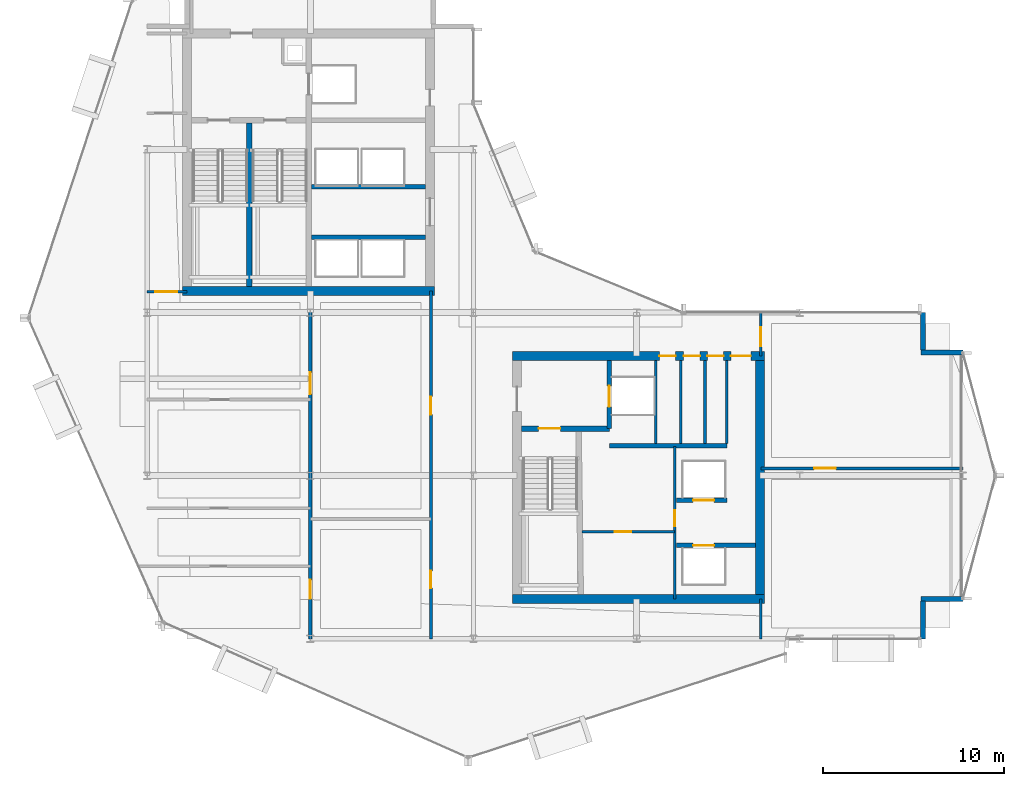
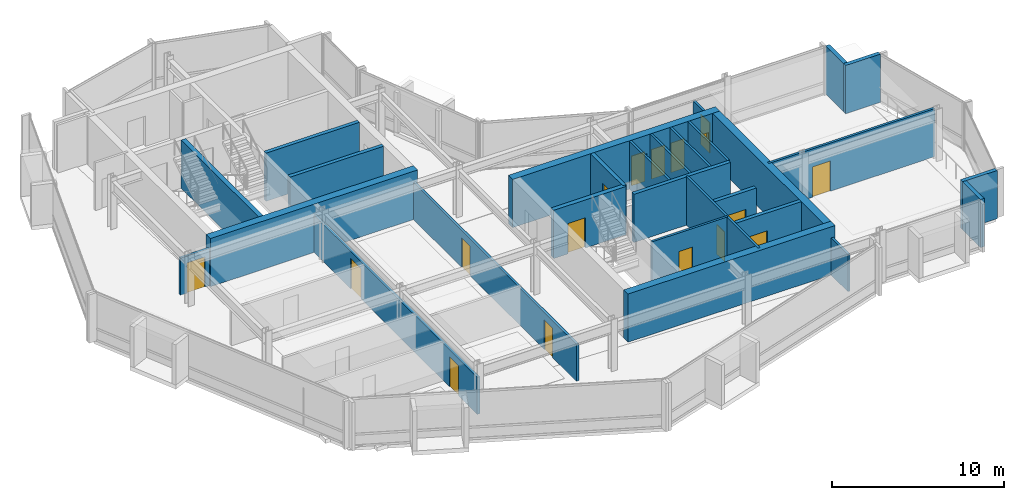
# One storey, part 20 of 27: 28 walls, 17 doors, 17 openings.
"""IFC4 building model written with IfcOpenShell, lengths in metres."""

from ifc_helpers import new_model, si_unit, direction, frame, frame_2d, origin, place, context, subcontext, project, spatial, rectangle, extrude, material, layer, layer_set, type_object, element, fill, save


model = new_model("IFC4")

# Units and contexts
model_context = context("Model", 3, precision=1e-05, world=origin(), true_north=direction((0.0, 1.0)))
body_context = subcontext(model_context, "Body", "Model", "MODEL_VIEW")
ifc_project = project(units=[si_unit("LENGTHUNIT", "METRE"), si_unit("AREAUNIT", "SQUARE_METRE"), si_unit("VOLUMEUNIT", "CUBIC_METRE"), si_unit("PLANEANGLEUNIT", "RADIAN"), si_unit("MASSUNIT", "GRAM", prefix="KILO")], contexts=[model_context])

# Site, building, storey
site_placement = place(None, origin())
site = spatial("IfcSite", under=ifc_project, at=site_placement, CompositionType="ELEMENT")
building_placement = place(site_placement, origin())
building = spatial("IfcBuilding", under=site, at=building_placement, Name="Solvaryn Broadcast Tower", CompositionType="ELEMENT")
storey_placement = place(building_placement, frame((0.0, 0.0, 177.89990234375)))
storey = spatial("IfcBuildingStorey", under=building, at=storey_placement, Name="L44", CompositionType="ELEMENT", Elevation=177.89990234375)

# Walls
ifc_material_1 = material(Name="Concrete f'c 70 MPa", Category="concrete")
ifc_layer_1 = layer(ifc_material_1, 0.5)
ifc_layer_set_1 = layer_set([ifc_layer_1], Name="CW-SHEAR-500")
wall_type_1 = type_object("IfcWallType", Name="CW-SHEAR-500", PredefinedType="SHEAR", material=ifc_layer_set_1)
for number, where, z_axis, x_axis, name in (
    (1, (10.949951171875, 28.199951171875, 0.0), (0.0, 0.0, 1.0), (1.0, 0.0, 0.0), "L44 West Core South Shear Wall"),
    (2, (29.14990234375, 11.199951171875, 0.0), (0.0, 0.0, 1.0), (1.0, 0.0, 0.0), "L44 East Core South Shear Wall"),
):
    element("IfcWall", number, at=place(storey_placement, frame(where, z_axis=z_axis, x_axis=x_axis)), inside=storey, type_object=wall_type_1, Name=name, PredefinedType="SHEAR", context=body_context, shape_type="SweptSolid", body=[
        extrude(rectangle(XDim=13.900146484375, YDim=0.5, at=frame_2d((6.9501953125, 0.0))), origin(), (0.0, 0.0, 1.0), 3.420166015625),
    ])

# Wall, openings, doors
wall_1_placement = place(storey_placement, frame((43.050048828125, 24.60009765625, 0.0), z_axis=(0.0, 0.0, 1.0), x_axis=(-1.0, 0.0, 0.0)))
wall_1 = element("IfcWall", 3, at=wall_1_placement, inside=storey, type_object=wall_type_1, Name="L44 East Core North Shear Wall", PredefinedType="SHEAR", context=body_context, shape_type="SweptSolid", body=[
    extrude(rectangle(XDim=13.900146484375, YDim=0.5, at=frame_2d((6.9501953125, 0.0))), origin(), (0.0, 0.0, 1.0), 3.420166015625),
])
opening_1_placement = place(wall_1_placement, frame((0.75, 0.0, 0.0)))
opening_1 = element("IfcOpeningElement", 4, at=opening_1_placement, cuts=wall_1, Name="Opening FD90C", PredefinedType="OPENING", context=body_context, shape_type="SweptSolid", body=[
    extrude(rectangle(XDim=1.10009765625, YDim=2.14990234375, at=frame_2d((0.550048828125, 1.074951171875))), frame((0.0, 0.260009765625, 0.0), z_axis=(0.0, -1.0, 0.0), x_axis=(1.0, 0.0, 0.0)), (0.0, 0.0, 1.0), 0.52001953125),
])
opening_2_placement = place(wall_1_placement, frame((2.25, 0.0, 0.0)))
opening_2 = element("IfcOpeningElement", 5, at=opening_2_placement, cuts=wall_1, Name="Opening FD60C", PredefinedType="OPENING", context=body_context, shape_type="SweptSolid", body=[
    extrude(rectangle(XDim=0.89990234375, YDim=2.10009765625, at=frame_2d((0.449951171875, 1.050048828125))), frame((0.0, 0.260009765625, 0.0), z_axis=(0.0, -1.0, 0.0), x_axis=(1.0, 0.0, 0.0)), (0.0, 0.0, 1.0), 0.52001953125),
])
opening_3_placement = place(wall_1_placement, frame((3.550048828125, 0.0, 0.0)))
opening_3 = element("IfcOpeningElement", 6, at=opening_3_placement, cuts=wall_1, Name="Opening FD60C", PredefinedType="OPENING", context=body_context, shape_type="SweptSolid", body=[
    extrude(rectangle(XDim=0.89990234375, YDim=2.10009765625, at=frame_2d((0.449951171875, 1.050048828125))), frame((0.0, 0.260009765625, 0.0), z_axis=(0.0, -1.0, 0.0), x_axis=(1.0, 0.0, 0.0)), (0.0, 0.0, 1.0), 0.52001953125),
])
opening_4_placement = place(wall_1_placement, frame((4.89990234375, 0.0, 0.0)))
opening_4 = element("IfcOpeningElement", 7, at=opening_4_placement, cuts=wall_1, Name="Opening FD60C", PredefinedType="OPENING", context=body_context, shape_type="SweptSolid", body=[
    extrude(rectangle(XDim=0.89990234375, YDim=2.10009765625, at=frame_2d((0.449951171875, 1.050048828125))), frame((0.0, 0.260009765625, 0.0), z_axis=(0.0, -1.0, 0.0), x_axis=(1.0, 0.0, 0.0)), (0.0, 0.0, 1.0), 0.52001953125),
])
ifc_material_2 = material(Name="Flush Acoustic Steel and Timber Door Assembly", Category="steel")
door_type_1 = type_object("IfcDoorType", Name="FD60-SERV-900X2100", OperationType="NOTDEFINED", PredefinedType="DOOR", material=ifc_material_2)
door_1_placement = place(opening_2_placement, origin())
door_1 = element("IfcDoor", 8, at=door_1_placement, inside=storey, type_object=door_type_1, Name="L44 Core Wellness Room Door", OperationType="SINGLE_SWING_RIGHT", OverallHeight=2.10009765625, OverallWidth=0.89990234375, PredefinedType="DOOR", context=body_context, shape_type="SweptSolid", body=[
    extrude(rectangle(XDim=0.89990234375, YDim=2.10009765625, at=frame_2d((0.449951171875, 1.050048828125))), frame((0.0, 0.02490234375, 0.0), z_axis=(0.0, -1.0, 0.0), x_axis=(1.0, 0.0, 0.0)), (0.0, 0.0, 1.0), 0.050048828125),
])
fill(opening_2, door_1)
door_2_placement = place(opening_3_placement, origin())
door_2 = element("IfcDoor", 9, at=door_2_placement, inside=storey, type_object=door_type_1, Name="L44 Staff Restroom Door", OperationType="SINGLE_SWING_LEFT", OverallHeight=2.10009765625, OverallWidth=0.89990234375, PredefinedType="DOOR", context=body_context, shape_type="SweptSolid", body=[
    extrude(rectangle(XDim=0.89990234375, YDim=2.10009765625, at=frame_2d((0.449951171875, 1.050048828125))), frame((0.0, 0.02490234375, 0.0), z_axis=(0.0, -1.0, 0.0), x_axis=(1.0, 0.0, 0.0)), (0.0, 0.0, 1.0), 0.050048828125),
])
fill(opening_3, door_2)
door_3_placement = place(opening_4_placement, origin())
door_3 = element("IfcDoor", 10, at=door_3_placement, inside=storey, type_object=door_type_1, Name="L44 Accessible WC Door", OperationType="SINGLE_SWING_RIGHT", OverallHeight=2.10009765625, OverallWidth=0.89990234375, PredefinedType="DOOR", context=body_context, shape_type="SweptSolid", body=[
    extrude(rectangle(XDim=0.89990234375, YDim=2.10009765625, at=frame_2d((0.449951171875, 1.050048828125))), frame((0.0, 0.02490234375, 0.0), z_axis=(0.0, -1.0, 0.0), x_axis=(1.0, 0.0, 0.0)), (0.0, 0.0, 1.0), 0.050048828125),
])
fill(opening_4, door_3)
ifc_material_3 = material(Name="Flush Acoustic Steel and Timber Door Assembly", Category="steel")
door_type_2 = type_object("IfcDoorType", Name="FD90-PLANT-1100X2150", OperationType="NOTDEFINED", PredefinedType="DOOR", material=ifc_material_3)
door_4_placement = place(opening_1_placement, origin())
door_4 = element("IfcDoor", 11, at=door_4_placement, inside=storey, type_object=door_type_2, Name="L44 East Core Lobby Corridor Door", OperationType="SINGLE_SWING_LEFT", OverallHeight=2.14990234375, OverallWidth=1.10009765625, PredefinedType="DOOR", context=body_context, shape_type="SweptSolid", body=[
    extrude(rectangle(XDim=1.10009765625, YDim=2.14990234375, at=frame_2d((0.550048828125, 1.074951171875))), frame((0.0, 0.02490234375, 0.0), z_axis=(0.0, -1.0, 0.0), x_axis=(1.0, 0.0, 0.0)), (0.0, 0.0, 1.0), 0.050048828125),
])
fill(opening_1, door_4)

# Walls
wall_2_placement = place(storey_placement, frame((42.800048828125, 11.449951171875, 0.0), z_axis=(0.0, 0.0, 1.0), x_axis=(0.0, 1.0, 0.0)))
element("IfcWall", 12, at=wall_2_placement, inside=storey, type_object=wall_type_1, Name="L44 East Core East Shear Wall", PredefinedType="SHEAR", context=body_context, shape_type="SweptSolid", body=[
    extrude(rectangle(XDim=12.900146484375, YDim=0.5, at=frame_2d((6.4501953125, 0.0))), origin(), (0.0, 0.0, 1.0), 3.420166015625),
])
ifc_material_4 = material(Name="Concrete f'c 50 MPa", Category="concrete")
ifc_layer_2 = layer(ifc_material_4, 0.260009765625)
ifc_layer_set_2 = layer_set([ifc_layer_2], Name="EW-PIER-260")
wall_type_2 = type_object("IfcWallType", Name="EW-PIER-260", PredefinedType="SOLIDWALL", material=ifc_layer_set_2)
wall_3_placement = place(storey_placement, frame((51.800048828125, 9.0, 0.0), z_axis=(0.0, 0.0, 1.0), x_axis=(0.0, 1.0, 0.0)))
element("IfcWall", 13, at=wall_3_placement, inside=storey, type_object=wall_type_2, Name="L44 Notched Corner Pier Wall NSE1", PredefinedType="SOLIDWALL", context=body_context, shape_type="SweptSolid", body=[
    extrude(rectangle(XDim=2.080078125, YDim=0.260009765625, at=frame_2d((1.0400390625, 0.0))), origin(), (0.0, 0.0, 1.0), 3.420166015625),
])
for number, where, z_axis, x_axis, name in (
    (14, (51.679931640625, 11.199951171875, 0.0), (0.0, 0.0, 1.0), (1.0, 0.0, 0.0), "L44 Notched Corner Pier Wall NSE2"),
    (15, (54.0, 24.800048828125, 0.0), (0.0, 0.0, 1.0), (-1.0, 0.0, 0.0), "L44 Notched Corner Pier Wall NEE1"),
):
    element("IfcWall", number, at=place(storey_placement, frame(where, z_axis=z_axis, x_axis=x_axis)), inside=storey, type_object=wall_type_2, Name=name, PredefinedType="SOLIDWALL", context=body_context, shape_type="SweptSolid", body=[
        extrude(rectangle(XDim=2.320068359375, YDim=0.260009765625, at=frame_2d((1.16015625, 0.0))), origin(), (0.0, 0.0, 1.0), 3.420166015625),
    ])
wall_4_placement = place(storey_placement, frame((51.800048828125, 24.919921875, 0.0), z_axis=(0.0, 0.0, 1.0), x_axis=(0.0, 1.0, 0.0)))
element("IfcWall", 16, at=wall_4_placement, inside=storey, type_object=wall_type_2, Name="L44 Notched Corner Pier Wall NEE2", PredefinedType="SOLIDWALL", context=body_context, shape_type="SweptSolid", body=[
    extrude(rectangle(XDim=2.080078125, YDim=0.260009765625, at=frame_2d((1.0400390625, 0.0))), origin(), (0.0, 0.0, 1.0), 3.420166015625),
])

# Wall, opening, door
ifc_material_5 = material(Name="Metal-Stud Service Core Partition")
ifc_layer_3 = layer(ifc_material_5, 0.14990234375)
ifc_layer_set_3 = layer_set([ifc_layer_3], Name="IW-PART-150")
wall_type_3 = type_object("IfcWallType", Name="IW-PART-150", PredefinedType="PARTITIONING", material=ifc_layer_set_3)
wall_5_placement = place(storey_placement, frame((33.0, 14.89990234375, 0.0), z_axis=(0.0, 0.0, 1.0), x_axis=(1.0, 0.0, 0.0)))
wall_5 = element("IfcWall", 17, at=wall_5_placement, inside=storey, type_object=wall_type_3, Name="L44 Interior Partition IW-L44-RPL-H", PredefinedType="PARTITIONING", context=body_context, shape_type="SweptSolid", body=[
    extrude(rectangle(XDim=5.10009765625, YDim=0.14990234375, at=frame_2d((2.550048828125, 0.0))), origin(), (0.0, 0.0, 1.0), 3.420166015625),
])
opening_5_placement = place(wall_5_placement, frame((1.800048828125, 0.0, 0.0)))
opening_5 = element("IfcOpeningElement", 18, at=opening_5_placement, cuts=wall_5, Name="Opening FD60C", PredefinedType="OPENING", context=body_context, shape_type="SweptSolid", body=[
    extrude(rectangle(XDim=0.89990234375, YDim=2.10009765625, at=frame_2d((0.449951171875, 1.050048828125))), frame((0.0, 0.0849609375, 0.0), z_axis=(0.0, -1.0, 0.0), x_axis=(1.0, 0.0, 0.0)), (0.0, 0.0, 1.0), 0.169921875),
])
door_5_placement = place(opening_5_placement, origin())
door_5 = element("IfcDoor", 19, at=door_5_placement, inside=storey, type_object=door_type_1, Name="L44 Door DR-L44-RPL1", OperationType="SINGLE_SWING_RIGHT", OverallHeight=2.10009765625, OverallWidth=0.89990234375, PredefinedType="DOOR", context=body_context, shape_type="SweptSolid", body=[
    extrude(rectangle(XDim=0.89990234375, YDim=2.10009765625, at=frame_2d((0.449951171875, 1.050048828125))), frame((0.0, 0.02490234375, 0.0), z_axis=(0.0, -1.0, 0.0), x_axis=(1.0, 0.0, 0.0)), (0.0, 0.0, 1.0), 0.050048828125),
])
fill(opening_5, door_5)

wall_6_placement = place(storey_placement, frame((38.10009765625, 11.199951171875, 0.0), z_axis=(0.0, 0.0, 1.0), x_axis=(0.0, 1.0, 0.0)))
wall_6 = element("IfcWall", 20, at=wall_6_placement, inside=storey, type_object=wall_type_3, Name="L44 Interior Partition IW-L44-RPL-E", PredefinedType="PARTITIONING", context=body_context, shape_type="SweptSolid", body=[
    extrude(rectangle(XDim=8.400146484375, YDim=0.14990234375, at=frame_2d((4.2001953125, 0.0))), origin(), (0.0, 0.0, 1.0), 3.420166015625),
])
opening_6_placement = place(wall_6_placement, frame((4.0, 0.0, 0.0)))
opening_6 = element("IfcOpeningElement", 21, at=opening_6_placement, cuts=wall_6, Name="Opening FD60C", PredefinedType="OPENING", context=body_context, shape_type="SweptSolid", body=[
    extrude(rectangle(XDim=0.89990234375, YDim=2.10009765625, at=frame_2d((0.449951171875, 1.050048828125))), frame((0.0, 0.0849609375, 0.0), z_axis=(0.0, -1.0, 0.0), x_axis=(1.0, 0.0, 0.0)), (0.0, 0.0, 1.0), 0.169921875),
])
door_6_placement = place(opening_6_placement, origin())
door_6 = element("IfcDoor", 22, at=door_6_placement, inside=storey, type_object=door_type_1, Name="L44 Door DR-L44-RPL2", OperationType="SINGLE_SWING_LEFT", OverallHeight=2.10009765625, OverallWidth=0.89990234375, PredefinedType="DOOR", context=body_context, shape_type="SweptSolid", body=[
    extrude(rectangle(XDim=0.89990234375, YDim=2.10009765625, at=frame_2d((0.449951171875, 1.050048828125))), frame((0.0, 0.02490234375, 0.0), z_axis=(0.0, -1.0, 0.0), x_axis=(1.0, 0.0, 0.0)), (0.0, 0.0, 1.0), 0.050048828125),
])
fill(opening_6, door_6)

# Walls
for number, where, z_axis, x_axis, name in (
    (23, (37.050048828125, 19.780029296875, 0.0), (0.0, 0.0, 1.0), (0.0, 1.0, 0.0), "L44 Interior Partition IW-L44-CE-FL2E"),
    (24, (38.43994140625, 19.780029296875, 0.0), (0.0, 0.0, 1.0), (0.0, 1.0, 0.0), "L44 Interior Partition IW-L44-CE-V1"),
    (25, (39.77001953125, 19.780029296875, 0.0), (0.0, 0.0, 1.0), (0.0, 1.0, 0.0), "L44 Interior Partition IW-L44-CE-V2"),
    (26, (40.97998046875, 19.780029296875, 0.0), (0.0, 0.0, 1.0), (0.0, 1.0, 0.0), "L44 Interior Partition IW-L44-CE-V3"),
):
    element("IfcWall", number, at=place(storey_placement, frame(where, z_axis=z_axis, x_axis=x_axis)), inside=storey, type_object=wall_type_3, Name=name, PredefinedType="PARTITIONING", context=body_context, shape_type="SweptSolid", body=[
        extrude(rectangle(XDim=4.570068359375, YDim=0.14990234375, at=frame_2d((2.28515625, 0.0))), origin(), (0.0, 0.0, 1.0), 3.420166015625),
    ])

# Wall, opening, door
ifc_material_6 = material(Name="Metal-Stud Gypsum Office Partition")
ifc_layer_4 = layer(ifc_material_6, 0.159912109375)
ifc_layer_set_4 = layer_set([ifc_layer_4], Name="IW-PART-160")
wall_type_4 = type_object("IfcWallType", Name="IW-PART-160", PredefinedType="PARTITIONING", material=ifc_layer_set_4)
wall_7_placement = place(storey_placement, frame((9.0, 28.14990234375, 0.0), z_axis=(0.0, 0.0, 1.0), x_axis=(1.0, 0.0, 0.0)))
wall_7 = element("IfcWall", 27, at=wall_7_placement, inside=storey, type_object=wall_type_4, Name="L44 Interior Partition IW-L44-WM-S", PredefinedType="PARTITIONING", context=body_context, shape_type="SweptSolid", body=[
    extrude(rectangle(XDim=2.199951171875, YDim=0.159912109375, at=frame_2d((1.10009765625, 0.0))), origin(), (0.0, 0.0, 1.0), 2.634033203125),
])
opening_7_placement = place(wall_7_placement, frame((0.449951171875, 0.0, 0.0)))
opening_7 = element("IfcOpeningElement", 28, at=opening_7_placement, cuts=wall_7, Name="Opening ID04", PredefinedType="OPENING", context=body_context, shape_type="SweptSolid", body=[
    extrude(rectangle(XDim=1.199951171875, YDim=2.14990234375, at=frame_2d((0.60009765625, 1.074951171875))), frame((0.0, 0.090087890625, 0.0), z_axis=(0.0, -1.0, 0.0), x_axis=(1.0, 0.0, 0.0)), (0.0, 0.0, 1.0), 0.179931640625),
])
ifc_material_7 = material(Name="Flush Acoustic Steel and Timber Door Assembly", Category="steel")
door_type_3 = type_object("IfcDoorType", Name="ID-04-1200X2150", OperationType="NOTDEFINED", PredefinedType="DOOR", material=ifc_material_7)
door_7_placement = place(opening_7_placement, origin())
door_7 = element("IfcDoor", 29, at=door_7_placement, inside=storey, type_object=door_type_3, Name="L44 Door DR-L44-WM0", OperationType="SINGLE_SWING_LEFT", OverallHeight=2.14990234375, OverallWidth=1.199951171875, PredefinedType="DOOR", context=body_context, shape_type="SweptSolid", body=[
    extrude(rectangle(XDim=1.199951171875, YDim=2.14990234375, at=frame_2d((0.60009765625, 1.074951171875))), frame((0.0, 0.02490234375, 0.0), z_axis=(0.0, -1.0, 0.0), x_axis=(1.0, 0.0, 0.0)), (0.0, 0.0, 1.0), 0.050048828125),
])
fill(opening_7, door_7)

# Wall, openings, doors
wall_8_placement = place(storey_placement, frame((24.64990234375, 9.0, 0.0), z_axis=(0.0, 0.0, 1.0), x_axis=(0.0, 1.0, 0.0)))
wall_8 = element("IfcWall", 30, at=wall_8_placement, inside=storey, type_object=wall_type_4, Name="L44 Interior Partition IW-L44-SW-EB", PredefinedType="PARTITIONING", context=body_context, shape_type="SweptSolid", body=[
    extrude(rectangle(XDim=19.199951171875, YDim=0.159912109375, at=frame_2d((9.60009765625, 0.0))), origin(), (0.0, 0.0, 1.0), 2.634033203125),
])
opening_8_placement = place(wall_8_placement, frame((2.800048828125, 0.0, 0.0)))
opening_8 = element("IfcOpeningElement", 31, at=opening_8_placement, cuts=wall_8, Name="Opening ID01", PredefinedType="OPENING", context=body_context, shape_type="SweptSolid", body=[
    extrude(rectangle(XDim=0.949951171875, YDim=2.10009765625, at=frame_2d((0.47509765625, 1.050048828125))), frame((0.0, 0.090087890625, 0.0), z_axis=(0.0, -1.0, 0.0), x_axis=(1.0, 0.0, 0.0)), (0.0, 0.0, 1.0), 0.179931640625),
])
opening_9_placement = place(wall_8_placement, frame((12.364990234375, 0.0, 0.0)))
opening_9 = element("IfcOpeningElement", 32, at=opening_9_placement, cuts=wall_8, Name="Opening ID02", PredefinedType="OPENING", context=body_context, shape_type="SweptSolid", body=[
    extrude(rectangle(XDim=1.0, YDim=2.10009765625, at=frame_2d((0.5, 1.050048828125))), frame((0.0, 0.090087890625, 0.0), z_axis=(0.0, -1.0, 0.0), x_axis=(1.0, 0.0, 0.0)), (0.0, 0.0, 1.0), 0.179931640625),
])
ifc_material_8 = material(Name="Flush Acoustic Steel and Timber Door Assembly", Category="steel")
door_type_4 = type_object("IfcDoorType", Name="ID-01-950X2100", OperationType="NOTDEFINED", PredefinedType="DOOR", material=ifc_material_8)
door_8_placement = place(opening_8_placement, origin())
door_8 = element("IfcDoor", 33, at=door_8_placement, inside=storey, type_object=door_type_4, Name="L44 Door DR-L44-SWE-1", OperationType="SINGLE_SWING_LEFT", OverallHeight=2.10009765625, OverallWidth=0.949951171875, PredefinedType="DOOR", context=body_context, shape_type="SweptSolid", body=[
    extrude(rectangle(XDim=0.949951171875, YDim=2.10009765625, at=frame_2d((0.47509765625, 1.050048828125))), frame((0.0, 0.02490234375, 0.0), z_axis=(0.0, -1.0, 0.0), x_axis=(1.0, 0.0, 0.0)), (0.0, 0.0, 1.0), 0.050048828125),
])
fill(opening_8, door_8)
ifc_material_9 = material(Name="Flush Acoustic Steel and Timber Door Assembly", Category="steel")
door_type_5 = type_object("IfcDoorType", Name="ID-02-1000X2100", OperationType="NOTDEFINED", PredefinedType="DOOR", material=ifc_material_9)
door_9_placement = place(opening_9_placement, origin())
door_9 = element("IfcDoor", 34, at=door_9_placement, inside=storey, type_object=door_type_5, Name="L44 Door DR-L44-SWE-2", OperationType="SINGLE_SWING_RIGHT", OverallHeight=2.10009765625, OverallWidth=1.0, PredefinedType="DOOR", context=body_context, shape_type="SweptSolid", body=[
    extrude(rectangle(XDim=1.0, YDim=2.10009765625, at=frame_2d((0.5, 1.050048828125))), frame((0.0, 0.02490234375, 0.0), z_axis=(0.0, -1.0, 0.0), x_axis=(1.0, 0.0, 0.0)), (0.0, 0.0, 1.0), 0.050048828125),
])
fill(opening_9, door_9)

# Wall
wall_9_placement = place(storey_placement, frame((42.85009765625, 9.0, 0.0), z_axis=(0.0, 0.0, 1.0), x_axis=(0.0, 1.0, 0.0)))
element("IfcWall", 35, at=wall_9_placement, inside=storey, type_object=wall_type_4, Name="L44 Interior Partition IW-L44-SC-E", PredefinedType="PARTITIONING", context=body_context, shape_type="SweptSolid", body=[
    extrude(rectangle(XDim=2.199951171875, YDim=0.159912109375, at=frame_2d((1.10009765625, 0.0))), origin(), (0.0, 0.0, 1.0), 2.634033203125),
])

# Wall, opening, door
wall_10_placement = place(storey_placement, frame((42.85009765625, 24.60009765625, 0.0), z_axis=(0.0, 0.0, 1.0), x_axis=(0.0, 1.0, 0.0)))
wall_10 = element("IfcWall", 36, at=wall_10_placement, inside=storey, type_object=wall_type_4, Name="L44 Interior Partition IW-L44-EW-BN", PredefinedType="PARTITIONING", context=body_context, shape_type="SweptSolid", body=[
    extrude(rectangle(XDim=2.39990234375, YDim=0.159912109375, at=frame_2d((1.199951171875, 0.0))), origin(), (0.0, 0.0, 1.0), 2.634033203125),
])
opening_10_placement = place(wall_10_placement, frame((0.550048828125, 0.0, 0.0)))
opening_10 = element("IfcOpeningElement", 37, at=opening_10_placement, cuts=wall_10, Name="Opening ID03", PredefinedType="OPENING", context=body_context, shape_type="SweptSolid", body=[
    extrude(rectangle(XDim=1.050048828125, YDim=2.14990234375, at=frame_2d((0.52490234375, 1.074951171875))), frame((0.0, 0.090087890625, 0.0), z_axis=(0.0, -1.0, 0.0), x_axis=(1.0, 0.0, 0.0)), (0.0, 0.0, 1.0), 0.179931640625),
])
ifc_material_10 = material(Name="Flush Acoustic Steel and Timber Door Assembly", Category="steel")
door_type_6 = type_object("IfcDoorType", Name="ID-03-1050X2150", OperationType="NOTDEFINED", PredefinedType="DOOR", material=ifc_material_10)
door_10_placement = place(opening_10_placement, origin())
door_10 = element("IfcDoor", 38, at=door_10_placement, inside=storey, type_object=door_type_6, Name="L44 Door DR-L44-EW0", OperationType="SINGLE_SWING_RIGHT", OverallHeight=2.14990234375, OverallWidth=1.050048828125, PredefinedType="DOOR", context=body_context, shape_type="SweptSolid", body=[
    extrude(rectangle(XDim=1.050048828125, YDim=2.14990234375, at=frame_2d((0.52490234375, 1.074951171875))), frame((0.0, 0.02490234375, 0.0), z_axis=(0.0, -1.0, 0.0), x_axis=(1.0, 0.0, 0.0)), (0.0, 0.0, 1.0), 0.050048828125),
])
fill(opening_10, door_10)

wall_11_placement = place(storey_placement, frame((42.85009765625, 18.39990234375, 0.0), z_axis=(0.0, 0.0, 1.0), x_axis=(1.0, 0.0, 0.0)))
wall_11 = element("IfcWall", 39, at=wall_11_placement, inside=storey, type_object=wall_type_4, Name="L44 Interior Partition IW-L44-EW-H1", PredefinedType="PARTITIONING", context=body_context, shape_type="SweptSolid", body=[
    extrude(rectangle(XDim=11.14990234375, YDim=0.159912109375, at=frame_2d((5.574951171875, 0.0))), origin(), (0.0, 0.0, 1.0), 3.420166015625),
])
opening_11_placement = place(wall_11_placement, frame((2.949951171875, 0.0, 0.0)))
opening_11 = element("IfcOpeningElement", 40, at=opening_11_placement, cuts=wall_11, Name="Opening ID04", PredefinedType="OPENING", context=body_context, shape_type="SweptSolid", body=[
    extrude(rectangle(XDim=1.199951171875, YDim=2.14990234375, at=frame_2d((0.60009765625, 1.074951171875))), frame((0.0, 0.090087890625, 0.0), z_axis=(0.0, -1.0, 0.0), x_axis=(1.0, 0.0, 0.0)), (0.0, 0.0, 1.0), 0.179931640625),
])
door_11_placement = place(opening_11_placement, origin())
door_11 = element("IfcDoor", 41, at=door_11_placement, inside=storey, type_object=door_type_3, Name="L44 Door DR-L44-EW-1", OperationType="SINGLE_SWING_LEFT", OverallHeight=2.14990234375, OverallWidth=1.199951171875, PredefinedType="DOOR", context=body_context, shape_type="SweptSolid", body=[
    extrude(rectangle(XDim=1.199951171875, YDim=2.14990234375, at=frame_2d((0.60009765625, 1.074951171875))), frame((0.0, 0.02490234375, 0.0), z_axis=(0.0, -1.0, 0.0), x_axis=(1.0, 0.0, 0.0)), (0.0, 0.0, 1.0), 0.050048828125),
])
fill(opening_11, door_11)

# Wall, openings, doors
ifc_material_11 = material(Name="Acoustic Metal-Stud Gypsum Partition")
ifc_layer_5 = layer(ifc_material_11, 0.179931640625)
ifc_layer_set_5 = layer_set([ifc_layer_5], Name="IW-PART-180")
wall_type_5 = type_object("IfcWallType", Name="IW-PART-180", PredefinedType="PARTITIONING", material=ifc_layer_set_5)
wall_12_placement = place(storey_placement, frame((18.0, 9.0, 0.0), z_axis=(0.0, 0.0, 1.0), x_axis=(0.0, 1.0, 0.0)))
wall_12 = element("IfcWall", 42, at=wall_12_placement, inside=storey, type_object=wall_type_5, Name="L44 Interior Partition IW-L44-SW-VX", PredefinedType="PARTITIONING", context=body_context, shape_type="SweptSolid", body=[
    extrude(rectangle(XDim=19.1298828125, YDim=0.179931640625, at=frame_2d((9.56494140625, 0.0))), origin(), (0.0, 0.0, 1.0), 2.634033203125),
])
opening_12_placement = place(wall_12_placement, frame((2.199951171875, 0.0, 0.0)))
opening_12 = element("IfcOpeningElement", 43, at=opening_12_placement, cuts=wall_12, Name="Opening ID03", PredefinedType="OPENING", context=body_context, shape_type="SweptSolid", body=[
    extrude(rectangle(XDim=1.050048828125, YDim=2.14990234375, at=frame_2d((0.52490234375, 1.074951171875))), frame((0.0, 0.099853515625, 0.0), z_axis=(0.0, -1.0, 0.0), x_axis=(1.0, 0.0, 0.0)), (0.0, 0.0, 1.0), 0.199951171875),
])
opening_13_placement = place(wall_12_placement, frame((13.5, 0.0, 0.0)))
opening_13 = element("IfcOpeningElement", 44, at=opening_13_placement, cuts=wall_12, Name="Opening ID04", PredefinedType="OPENING", context=body_context, shape_type="SweptSolid", body=[
    extrude(rectangle(XDim=1.199951171875, YDim=2.14990234375, at=frame_2d((0.60009765625, 1.074951171875))), frame((0.0, 0.099853515625, 0.0), z_axis=(0.0, -1.0, 0.0), x_axis=(1.0, 0.0, 0.0)), (0.0, 0.0, 1.0), 0.199951171875),
])
door_12_placement = place(opening_12_placement, origin())
door_12 = element("IfcDoor", 45, at=door_12_placement, inside=storey, type_object=door_type_6, Name="L44 Door DR-L44-SWW-X1", OperationType="SINGLE_SWING_LEFT", OverallHeight=2.14990234375, OverallWidth=1.050048828125, PredefinedType="DOOR", context=body_context, shape_type="SweptSolid", body=[
    extrude(rectangle(XDim=1.050048828125, YDim=2.14990234375, at=frame_2d((0.52490234375, 1.074951171875))), frame((0.0, 0.02490234375, 0.0), z_axis=(0.0, -1.0, 0.0), x_axis=(1.0, 0.0, 0.0)), (0.0, 0.0, 1.0), 0.050048828125),
])
fill(opening_12, door_12)
door_13_placement = place(opening_13_placement, origin())
door_13 = element("IfcDoor", 46, at=door_13_placement, inside=storey, type_object=door_type_3, Name="L44 Door DR-L44-SWW-X2", OperationType="SINGLE_SWING_RIGHT", OverallHeight=2.14990234375, OverallWidth=1.199951171875, PredefinedType="DOOR", context=body_context, shape_type="SweptSolid", body=[
    extrude(rectangle(XDim=1.199951171875, YDim=2.14990234375, at=frame_2d((0.60009765625, 1.074951171875))), frame((0.0, 0.02490234375, 0.0), z_axis=(0.0, -1.0, 0.0), x_axis=(1.0, 0.0, 0.0)), (0.0, 0.0, 1.0), 0.050048828125),
])
fill(opening_13, door_13)

# Walls
ifc_material_12 = material(Name="Concrete f'c 60 MPa", Category="concrete")
ifc_layer_6 = layer(ifc_material_12, 0.25)
ifc_layer_set_6 = layer_set([ifc_layer_6], Name="SW-SHAFT-250")
wall_type_6 = type_object("IfcWallType", Name="SW-SHAFT-250", PredefinedType="PARTITIONING", material=ifc_layer_set_6)
for number, where, z_axis, x_axis, name in (
    (47, (18.070068359375, 31.14990234375, 0.0), (0.0, 0.0, 1.0), (1.0, 0.0, 0.0), "L44 High-Rise Lift Bank South Wall"),
    (48, (24.35009765625, 33.949951171875, 0.0), (0.0, 0.0, 1.0), (-1.0, 0.0, 0.0), "L44 High-Rise Lift Bank North Wall"),
):
    element("IfcWall", number, at=place(storey_placement, frame(where, z_axis=z_axis, x_axis=x_axis)), inside=storey, type_object=wall_type_6, Name=name, PredefinedType="PARTITIONING", context=body_context, shape_type="SweptSolid", body=[
        extrude(rectangle(XDim=6.280029296875, YDim=0.25, at=frame_2d((3.14013671875, 0.0))), origin(), (0.0, 0.0, 1.0), 3.420166015625),
    ])

# Wall, opening, door
wall_13_placement = place(storey_placement, frame((34.5, 20.60009765625, 0.0), z_axis=(0.0, 0.0, 1.0), x_axis=(0.0, 1.0, 0.0)))
wall_13 = element("IfcWall", 49, at=wall_13_placement, inside=storey, type_object=wall_type_6, Name="L44 East FSAE Lobby East Wall", PredefinedType="PARTITIONING", context=body_context, shape_type="SweptSolid", body=[
    extrude(rectangle(XDim=3.75, YDim=0.25, at=frame_2d((1.875, 0.0))), origin(), (0.0, 0.0, 1.0), 3.420166015625),
])
opening_14_placement = place(wall_13_placement, frame((1.199951171875, 0.0, 0.0)))
opening_14 = element("IfcOpeningElement", 50, at=opening_14_placement, cuts=wall_13, Name="Opening LD01", PredefinedType="OPENING", context=body_context, shape_type="SweptSolid", body=[
    extrude(rectangle(XDim=1.14990234375, YDim=2.14990234375, at=frame_2d((0.574951171875, 1.074951171875))), frame((0.0, 0.135009765625, 0.0), z_axis=(0.0, -1.0, 0.0), x_axis=(1.0, 0.0, 0.0)), (0.0, 0.0, 1.0), 0.27001953125),
])
ifc_material_13 = material(Name="Flush Acoustic Steel and Timber Door Assembly", Category="steel")
door_type_7 = type_object("IfcDoorType", Name="LD-LIFT-1150X2150", OperationType="NOTDEFINED", PredefinedType="DOOR", material=ifc_material_13)
door_14_placement = place(opening_14_placement, origin())
door_14 = element("IfcDoor", 51, at=door_14_placement, inside=storey, type_object=door_type_7, Name="L44 FL2 Lift Landing Door", OperationType="DOUBLE_DOOR_SLIDING", OverallHeight=2.14990234375, OverallWidth=1.14990234375, PredefinedType="DOOR", context=body_context, shape_type="SweptSolid", body=[
    extrude(rectangle(XDim=1.14990234375, YDim=2.14990234375, at=frame_2d((0.574951171875, 1.074951171875))), frame((0.0, 0.02490234375, 0.0), z_axis=(0.0, -1.0, 0.0), x_axis=(1.0, 0.0, 0.0)), (0.0, 0.0, 1.0), 0.050048828125),
])
fill(opening_14, door_14)

# Wall
wall_14_placement = place(storey_placement, frame((34.5, 19.64990234375, 0.0), z_axis=(0.0, 0.0, 1.0), x_axis=(1.0, 0.0, 0.0)))
element("IfcWall", 52, at=wall_14_placement, inside=storey, type_object=wall_type_6, Name="L44 East Core Restroom South Wall", PredefinedType="PARTITIONING", context=body_context, shape_type="SweptSolid", body=[
    extrude(rectangle(XDim=6.47998046875, YDim=0.25, at=frame_2d((3.239990234375, 0.0))), origin(), (0.0, 0.0, 1.0), 3.420166015625),
])

# Wall, opening, door
wall_15_placement = place(storey_placement, frame((38.199951171875, 14.14990234375, 0.0), z_axis=(0.0, 0.0, 1.0), x_axis=(1.0, 0.0, 0.0)))
wall_15 = element("IfcWall", 53, at=wall_15_placement, inside=storey, type_object=wall_type_6, Name="L44 East Lift Bank South Wall", PredefinedType="PARTITIONING", context=body_context, shape_type="SweptSolid", body=[
    extrude(rectangle(XDim=4.35009765625, YDim=0.25, at=frame_2d((2.175048828125, 0.0))), origin(), (0.0, 0.0, 1.0), 3.420166015625),
])
opening_15_placement = place(wall_15_placement, frame((0.925048828125, 0.0, 0.0)))
opening_15 = element("IfcOpeningElement", 54, at=opening_15_placement, cuts=wall_15, Name="Opening LD01", PredefinedType="OPENING", context=body_context, shape_type="SweptSolid", body=[
    extrude(rectangle(XDim=1.14990234375, YDim=2.14990234375, at=frame_2d((0.574951171875, 1.074951171875))), frame((0.0, 0.135009765625, 0.0), z_axis=(0.0, -1.0, 0.0), x_axis=(1.0, 0.0, 0.0)), (0.0, 0.0, 1.0), 0.27001953125),
])
door_15_placement = place(opening_15_placement, origin())
door_15 = element("IfcDoor", 55, at=door_15_placement, inside=storey, type_object=door_type_7, Name="L44 PM1 Lift Landing Door", OperationType="DOUBLE_DOOR_SLIDING", OverallHeight=2.14990234375, OverallWidth=1.14990234375, PredefinedType="DOOR", context=body_context, shape_type="SweptSolid", body=[
    extrude(rectangle(XDim=1.14990234375, YDim=2.14990234375, at=frame_2d((0.574951171875, 1.074951171875))), frame((0.0, 0.02490234375, 0.0), z_axis=(0.0, -1.0, 0.0), x_axis=(1.0, 0.0, 0.0)), (0.0, 0.0, 1.0), 0.050048828125),
])
fill(opening_15, door_15)

wall_16_placement = place(storey_placement, frame((40.97998046875, 16.64990234375, 0.0), z_axis=(0.0, 0.0, 1.0), x_axis=(-1.0, 0.0, 0.0)))
wall_16 = element("IfcWall", 56, at=wall_16_placement, inside=storey, type_object=wall_type_6, Name="L44 East Lift Bank North Wall", PredefinedType="PARTITIONING", context=body_context, shape_type="SweptSolid", body=[
    extrude(rectangle(XDim=2.780029296875, YDim=0.25, at=frame_2d((1.39013671875, 0.0))), origin(), (0.0, 0.0, 1.0), 3.420166015625),
])
opening_16_placement = place(wall_16_placement, frame((0.705078125, 0.0, 0.0)))
opening_16 = element("IfcOpeningElement", 57, at=opening_16_placement, cuts=wall_16, Name="Opening LD01", PredefinedType="OPENING", context=body_context, shape_type="SweptSolid", body=[
    extrude(rectangle(XDim=1.14990234375, YDim=2.14990234375, at=frame_2d((0.574951171875, 1.074951171875))), frame((0.0, 0.135009765625, 0.0), z_axis=(0.0, -1.0, 0.0), x_axis=(1.0, 0.0, 0.0)), (0.0, 0.0, 1.0), 0.27001953125),
])
door_16_placement = place(opening_16_placement, origin())
door_16 = element("IfcDoor", 58, at=door_16_placement, inside=storey, type_object=door_type_7, Name="L44 PM2 Lift Landing Door", OperationType="DOUBLE_DOOR_SLIDING", OverallHeight=2.14990234375, OverallWidth=1.14990234375, PredefinedType="DOOR", context=body_context, shape_type="SweptSolid", body=[
    extrude(rectangle(XDim=1.14990234375, YDim=2.14990234375, at=frame_2d((0.574951171875, 1.074951171875))), frame((0.0, 0.02490234375, 0.0), z_axis=(0.0, -1.0, 0.0), x_axis=(1.0, 0.0, 0.0)), (0.0, 0.0, 1.0), 0.050048828125),
])
fill(opening_16, door_16)

# Wall
ifc_material_14 = material(Name="Concrete f'c 70 MPa", Category="concrete")
ifc_layer_7 = layer(ifc_material_14, 0.300048828125)
ifc_layer_set_7 = layer_set([ifc_layer_7], Name="SW-SHAFT-300")
wall_type_7 = type_object("IfcWallType", Name="SW-SHAFT-300", PredefinedType="SHEAR", material=ifc_layer_set_7)
wall_17_placement = place(storey_placement, frame((14.6201171875, 28.449951171875, 0.0), z_axis=(0.0, 0.0, 1.0), x_axis=(0.0, 1.0, 0.0)))
element("IfcWall", 59, at=wall_17_placement, inside=storey, type_object=wall_type_7, Name="L44 Stair 1-2 Dividing Wall", PredefinedType="SHEAR", context=body_context, shape_type="SweptSolid", body=[
    extrude(rectangle(XDim=9.0, YDim=0.300048828125, at=frame_2d((4.5, 0.0))), origin(), (0.0, 0.0, 1.0), 3.420166015625),
])

# Wall, opening, door
wall_18_placement = place(storey_placement, frame((34.5, 20.60009765625, 0.0), z_axis=(0.0, 0.0, 1.0), x_axis=(-1.0, 0.0, 0.0)))
wall_18 = element("IfcWall", 60, at=wall_18_placement, inside=storey, type_object=wall_type_7, Name="L44 East FSAE Lobby South Wall", PredefinedType="SHEAR", context=body_context, shape_type="SweptSolid", body=[
    extrude(rectangle(XDim=4.85009765625, YDim=0.300048828125, at=frame_2d((2.425048828125, 0.0))), origin(), (0.0, 0.0, 1.0), 3.420166015625),
])
opening_17_placement = place(wall_18_placement, frame((2.699951171875, 0.0, 0.0)))
opening_17 = element("IfcOpeningElement", 61, at=opening_17_placement, cuts=wall_18, Name="Opening FD90A", PredefinedType="OPENING", context=body_context, shape_type="SweptSolid", body=[
    extrude(rectangle(XDim=1.199951171875, YDim=2.14990234375, at=frame_2d((0.60009765625, 1.074951171875))), frame((0.0, 0.159912109375, 0.0), z_axis=(0.0, -1.0, 0.0), x_axis=(1.0, 0.0, 0.0)), (0.0, 0.0, 1.0), 0.320068359375),
])
ifc_material_15 = material(Name="Flush Acoustic Steel and Timber Door Assembly", Category="steel")
door_type_8 = type_object("IfcDoorType", Name="FD90-STAIR-1200X2150", OperationType="NOTDEFINED", PredefinedType="DOOR", material=ifc_material_15)
door_17_placement = place(opening_17_placement, origin())
door_17 = element("IfcDoor", 62, at=door_17_placement, inside=storey, type_object=door_type_8, Name="L44 Stair 3 Fire Door", OperationType="SINGLE_SWING_LEFT", OverallHeight=2.14990234375, OverallWidth=1.199951171875, PredefinedType="DOOR", context=body_context, shape_type="SweptSolid", body=[
    extrude(rectangle(XDim=1.199951171875, YDim=2.14990234375, at=frame_2d((0.60009765625, 1.074951171875))), frame((0.0, 0.02490234375, 0.0), z_axis=(0.0, -1.0, 0.0), x_axis=(1.0, 0.0, 0.0)), (0.0, 0.0, 1.0), 0.050048828125),
])
fill(opening_17, door_17)

save(model, "model.ifc")
